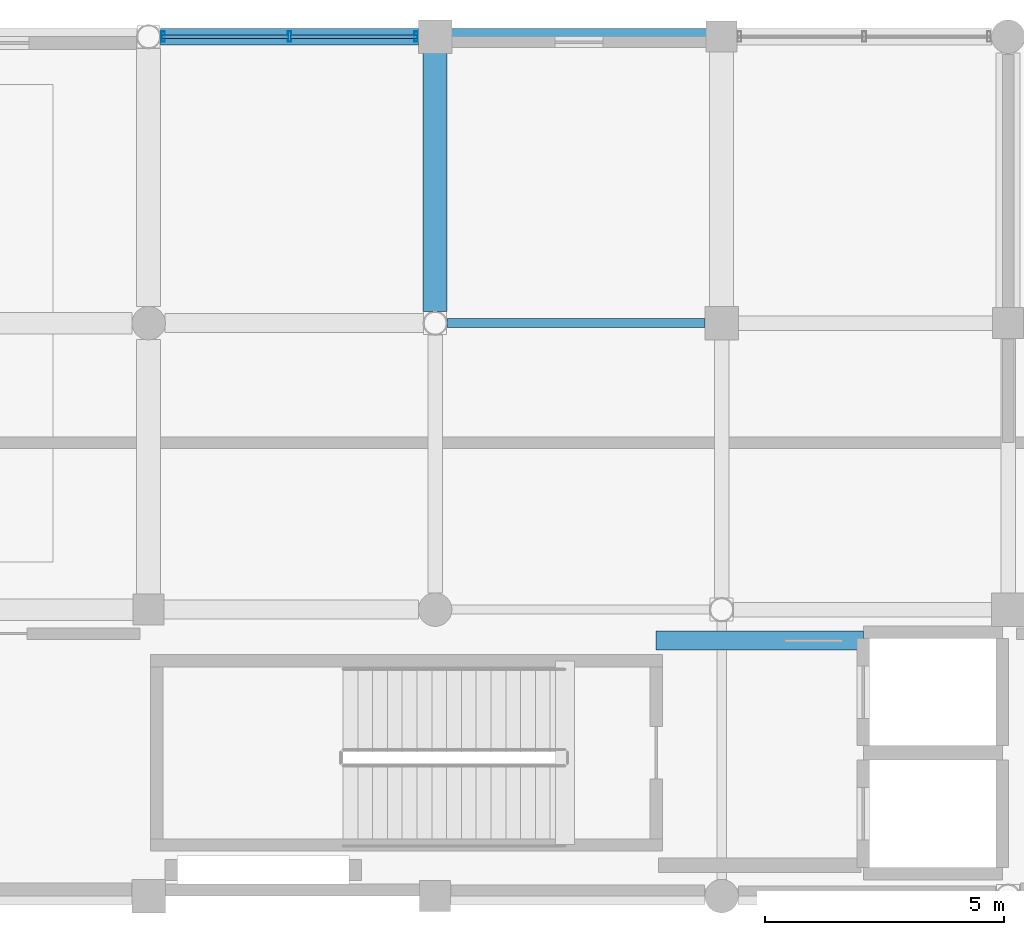
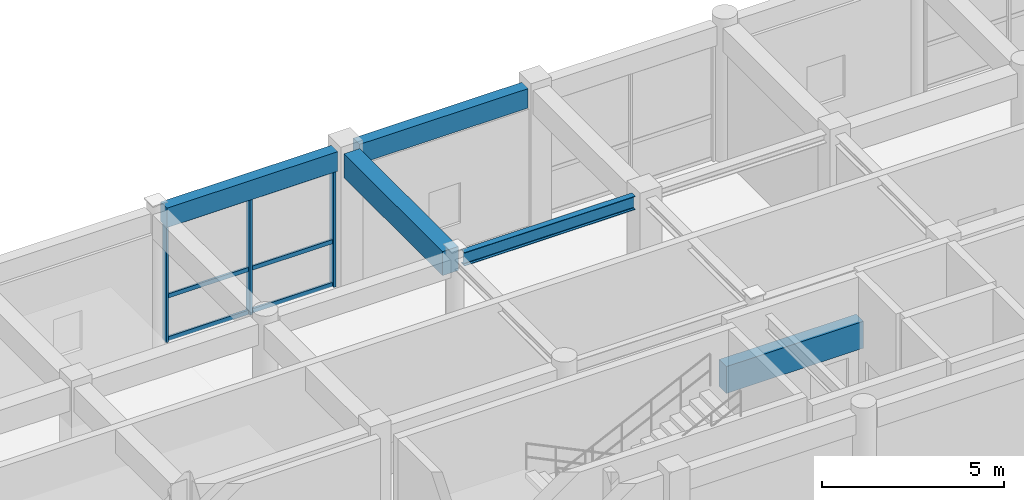
# One storey, part 73 of 112: 9 members, 5 beams, 1 element without a shape of its own.
"""IFC4 building model written with IfcOpenShell, lengths in metres."""

from ifc_helpers import new_model, si_unit, direction, frame, origin, origin_2d, place, context, subcontext, project, spatial, rectangle, hollow_rectangle, i_section, extrude, material, material_profile, profile_set, type_object, element, aggregate, save


model = new_model("IFC4")

# Units and contexts
model_context = context("Model", 3, precision=1e-05, world=origin(), true_north=direction((0.0, 1.0)))
body_context = subcontext(model_context, "Body", "Model", "MODEL_VIEW")
ifc_project = project(units=[si_unit("LENGTHUNIT", "METRE"), si_unit("AREAUNIT", "SQUARE_METRE"), si_unit("VOLUMEUNIT", "CUBIC_METRE"), si_unit("PLANEANGLEUNIT", "RADIAN"), si_unit("MASSUNIT", "GRAM", prefix="KILO"), si_unit("THERMODYNAMICTEMPERATUREUNIT", "KELVIN"), si_unit("POWERUNIT", "WATT")], contexts=[model_context])

# Site, building, storey
site_placement = place(None, origin())
site = spatial("IfcSite", under=ifc_project, at=site_placement, CompositionType="ELEMENT")
building_placement = place(site_placement, origin())
building = spatial("IfcBuilding", under=site, at=building_placement, Name="Phaisarnlok Congress Hotel", CompositionType="ELEMENT")
storey_placement = place(building_placement, frame((0.0, 0.0, 19.800048828125)))
storey = spatial("IfcBuildingStorey", under=building, at=storey_placement, Name="L04", CompositionType="ELEMENT", Elevation=19.800048828125)

# Beams
ifc_material_1 = material(Name="Concrete C40/50", Category="concrete")
ifc_material_profile_1 = material_profile(ifc_material_1, rectangle(XDim=0.5, YDim=0.800048828125, at=origin_2d()), Name="RC 500x800")
ifc_profile_set_1 = profile_set([ifc_material_profile_1], Name="Concrete C40/50")
beam_type_1 = type_object("IfcBeamType", Name="BM-RC-500x800", PredefinedType="BEAM", material=ifc_profile_set_1)
beam_1_placement = place(storey_placement, frame((138.0, 120.2490234375, 4.14990234375), z_axis=(0.0, 1.0, 0.0), x_axis=(-1.0, 0.0, 0.0)))
element("IfcBeam", 1, at=beam_1_placement, inside=storey, type_object=beam_type_1, Name="Beam B-04", PredefinedType="BEAM", context=body_context, shape_type="SweptSolid", body=[
    extrude(rectangle(XDim=0.5, YDim=0.800048828125, at=origin_2d()), origin(), (0.0, 0.0, 1.0), 5.406005859375),
])
ifc_material_2 = material(Name="Steel S355", Category="steel")
ifc_material_profile_2 = material_profile(ifc_material_2, i_section(OverallWidth=0.18994140625, OverallDepth=0.449951171875, WebThickness=0.009521484375, FlangeThickness=0.0146484375, FilletRadius=0.02099609375, at=origin_2d()), Name="IPE 450")
ifc_profile_set_2 = profile_set([ifc_material_profile_2], Name="Steel S355")
beam_type_2 = type_object("IfcBeamType", Name="BM-STL-IPE450", PredefinedType="BEAM", material=ifc_profile_set_2)
beam_2_placement = place(storey_placement, frame((138.2490234375, 120.0, 4.324951171875), z_axis=(1.0, 0.0, 0.0), x_axis=(0.0, 1.0, 0.0)))
element("IfcBeam", 2, at=beam_2_placement, inside=storey, type_object=beam_type_2, Name="Beam SB-01", PredefinedType="BEAM", context=body_context, shape_type="SweptSolid", body=[
    extrude(i_section(OverallWidth=0.18994140625, OverallDepth=0.449951171875, WebThickness=0.009521484375, FlangeThickness=0.0146484375, FilletRadius=0.02099609375, at=origin_2d()), origin(), (0.0, 0.0, 1.0), 5.406005859375),
])

# Curtain wall, members
ifc_material_3 = material(Name="Thermally Broken Unitised Aluminium & Low-E Glazing", Category="aluminium")
curtain_wall_type = type_object("IfcCurtainWallType", Name="CW-UNIT-34", PredefinedType="NOTDEFINED", material=ifc_material_3)
curtain_wall_placement = place(storey_placement, origin())
curtain_wall = element("IfcCurtainWall", 3, at=curtain_wall_placement, inside=storey, type_object=curtain_wall_type, Name="Unitised curtain wall CW-34 (L04)", PredefinedType="NOTDEFINED")
ifc_material_4 = material(Name="Anodised Aluminium Alloy 6063-T6", Category="aluminium")
ifc_material_profile_3 = material_profile(ifc_material_4, hollow_rectangle(XDim=0.074951171875, YDim=0.219970703125, WallThickness=0.0048828125, at=origin_2d()), Name="ALU-M 75x220x5")
ifc_profile_set_3 = profile_set([ifc_material_profile_3], Name="Anodised Aluminium Alloy 6063-T6")
member_type_1 = type_object("IfcMemberType", Name="CWM-220", PredefinedType="MULLION", material=ifc_profile_set_3)
member_1_placement = place(storey_placement, frame((137.60009765625, 126.0, 0.0), z_axis=(0.0, 0.0, 1.0), x_axis=(-1.0, 0.0, 0.0)))
member_1 = element("IfcMember", 4, at=member_1_placement, type_object=member_type_1, Name="Curtain wall mullion CWM-02", PredefinedType="MULLION", context=body_context, shape_type="SweptSolid", body=[
    extrude(hollow_rectangle(XDim=0.074951171875, YDim=0.219970703125, WallThickness=0.0048828125, at=origin_2d()), origin(), (0.0, 0.0, 1.0), 3.89990234375),
])
member_2_placement = place(storey_placement, frame((134.951904296875, 126.0, 0.0), z_axis=(0.0, 0.0, 1.0), x_axis=(-1.0, 0.0, 0.0)))
member_2 = element("IfcMember", 5, at=member_2_placement, type_object=member_type_1, Name="Curtain wall mullion CWM-02", PredefinedType="MULLION", context=body_context, shape_type="SweptSolid", body=[
    extrude(hollow_rectangle(XDim=0.074951171875, YDim=0.219970703125, WallThickness=0.0048828125, at=origin_2d()), origin(), (0.0, 0.0, 1.0), 3.89990234375),
])
member_3_placement = place(storey_placement, frame((132.303955078125, 126.0, 0.0), z_axis=(0.0, 0.0, 1.0), x_axis=(-1.0, 0.0, 0.0)))
member_3 = element("IfcMember", 6, at=member_3_placement, type_object=member_type_1, Name="Curtain wall mullion CWM-02", PredefinedType="MULLION", context=body_context, shape_type="SweptSolid", body=[
    extrude(hollow_rectangle(XDim=0.074951171875, YDim=0.219970703125, WallThickness=0.0048828125, at=origin_2d()), origin(), (0.0, 0.0, 1.0), 3.89990234375),
])
ifc_material_profile_4 = material_profile(ifc_material_4, hollow_rectangle(XDim=0.06494140625, YDim=0.139892578125, WallThickness=0.00390625, at=origin_2d()), Name="ALU-T 65x140x4")
ifc_profile_set_4 = profile_set([ifc_material_profile_4], Name="Anodised Aluminium Alloy 6063-T6")
member_type_2 = type_object("IfcMemberType", Name="CWT-150", PredefinedType="USERDEFINED", material=ifc_profile_set_4)
member_4_placement = place(storey_placement, frame((137.625, 126.0, 0.050048828125), z_axis=(-1.0, 0.0, 0.0), x_axis=(0.0, -1.0, 0.0)))
member_4 = element("IfcMember", 7, at=member_4_placement, type_object=member_type_2, Name="Curtain wall transom CWT-01", ObjectType="TRANSOM", PredefinedType="USERDEFINED", context=body_context, shape_type="SweptSolid", body=[
    extrude(hollow_rectangle(XDim=0.06494140625, YDim=0.139892578125, WallThickness=0.00390625, at=origin_2d()), origin(), (0.0, 0.0, 1.0), 2.657958984375),
])
member_5_placement = place(storey_placement, frame((137.625, 126.0, 1.48193359375), z_axis=(-1.0, 0.0, 0.0), x_axis=(0.0, -1.0, 0.0)))
member_5 = element("IfcMember", 8, at=member_5_placement, type_object=member_type_2, Name="Curtain wall transom CWT-01", ObjectType="TRANSOM", PredefinedType="USERDEFINED", context=body_context, shape_type="SweptSolid", body=[
    extrude(hollow_rectangle(XDim=0.06494140625, YDim=0.139892578125, WallThickness=0.00390625, at=origin_2d()), origin(), (0.0, 0.0, 1.0), 2.657958984375),
])
member_6_placement = place(storey_placement, frame((137.625, 126.0, 3.849853515625), z_axis=(-1.0, 0.0, 0.0), x_axis=(0.0, -1.0, 0.0)))
member_6 = element("IfcMember", 9, at=member_6_placement, type_object=member_type_2, Name="Curtain wall transom CWT-01", ObjectType="TRANSOM", PredefinedType="USERDEFINED", context=body_context, shape_type="SweptSolid", body=[
    extrude(hollow_rectangle(XDim=0.06494140625, YDim=0.139892578125, WallThickness=0.00390625, at=origin_2d()), origin(), (0.0, 0.0, 1.0), 2.657958984375),
])
member_7_placement = place(storey_placement, frame((134.93701171875, 126.0, 0.050048828125), z_axis=(-1.0, 0.0, 0.0), x_axis=(0.0, -1.0, 0.0)))
member_7 = element("IfcMember", 10, at=member_7_placement, type_object=member_type_2, Name="Curtain wall transom CWT-01", ObjectType="TRANSOM", PredefinedType="USERDEFINED", context=body_context, shape_type="SweptSolid", body=[
    extrude(hollow_rectangle(XDim=0.06494140625, YDim=0.139892578125, WallThickness=0.00390625, at=origin_2d()), origin(), (0.0, 0.0, 1.0), 2.657958984375),
])
member_8_placement = place(storey_placement, frame((134.93701171875, 126.0, 1.48193359375), z_axis=(-1.0, 0.0, 0.0), x_axis=(0.0, -1.0, 0.0)))
member_8 = element("IfcMember", 11, at=member_8_placement, type_object=member_type_2, Name="Curtain wall transom CWT-01", ObjectType="TRANSOM", PredefinedType="USERDEFINED", context=body_context, shape_type="SweptSolid", body=[
    extrude(hollow_rectangle(XDim=0.06494140625, YDim=0.139892578125, WallThickness=0.00390625, at=origin_2d()), origin(), (0.0, 0.0, 1.0), 2.657958984375),
])
member_9_placement = place(storey_placement, frame((134.93701171875, 126.0, 3.849853515625), z_axis=(-1.0, 0.0, 0.0), x_axis=(0.0, -1.0, 0.0)))
member_9 = element("IfcMember", 12, at=member_9_placement, type_object=member_type_2, Name="Curtain wall transom CWT-01", ObjectType="TRANSOM", PredefinedType="USERDEFINED", context=body_context, shape_type="SweptSolid", body=[
    extrude(hollow_rectangle(XDim=0.06494140625, YDim=0.139892578125, WallThickness=0.00390625, at=origin_2d()), origin(), (0.0, 0.0, 1.0), 2.657958984375),
])
aggregate(curtain_wall, [member_1, member_2, member_3, member_4, member_5, member_6, member_7, member_8, member_9])

# Beams
ifc_material_5 = material(Name="Concrete C50/60", Category="concrete")
ifc_material_profile_5 = material_profile(ifc_material_5, rectangle(XDim=0.39990234375, YDim=0.89990234375, at=origin_2d()), Name="RC 400x900")
ifc_profile_set_5 = profile_set([ifc_material_profile_5], Name="Concrete C50/60")
beam_type_3 = type_object("IfcBeamType", Name="LN-RC-400x900", PredefinedType="LINTEL", material=ifc_profile_set_5)
beam_3_placement = place(storey_placement, frame((142.6298828125, 113.35009765625, 2.849853515625), z_axis=(1.0, 0.0, 0.0), x_axis=(0.0, 1.0, 0.0)))
element("IfcBeam", 13, at=beam_3_placement, inside=storey, type_object=beam_type_3, Name="Core coupling lintel beam LN-01", PredefinedType="LINTEL", context=body_context, shape_type="SweptSolid", body=[
    extrude(rectangle(XDim=0.39990234375, YDim=0.89990234375, at=origin_2d()), origin(), (0.0, 0.0, 1.0), 4.340087890625),
])
ifc_material_profile_6 = material_profile(ifc_material_1, rectangle(XDim=0.35009765625, YDim=0.64990234375, at=origin_2d()), Name="RC 350x650")
ifc_profile_set_6 = profile_set([ifc_material_profile_6], Name="Concrete C40/50")
beam_type_4 = type_object("IfcBeamType", Name="SP-RC-350x650", PredefinedType="SPANDREL", material=ifc_profile_set_6)
beam_4_placement = place(storey_placement, frame((132.2490234375, 126.0, 4.224853515625), z_axis=(1.0, 0.0, 0.0), x_axis=(0.0, 1.0, 0.0)))
element("IfcBeam", 14, at=beam_4_placement, inside=storey, type_object=beam_type_4, Name="Beam SP-01", PredefinedType="SPANDREL", context=body_context, shape_type="SweptSolid", body=[
    extrude(rectangle(XDim=0.35009765625, YDim=0.64990234375, at=origin_2d()), origin(), (0.0, 0.0, 1.0), 5.406005859375),
])
beam_5_placement = place(storey_placement, frame((138.344970703125, 126.0, 4.224853515625), z_axis=(1.0, 0.0, 0.0), x_axis=(0.0, 1.0, 0.0)))
element("IfcBeam", 15, at=beam_5_placement, inside=storey, type_object=beam_type_4, Name="Beam SP-01", PredefinedType="SPANDREL", context=body_context, shape_type="SweptSolid", body=[
    extrude(rectangle(XDim=0.35009765625, YDim=0.64990234375, at=origin_2d()), origin(), (0.0, 0.0, 1.0), 5.3349609375),
])

save(model, "model.ifc")
